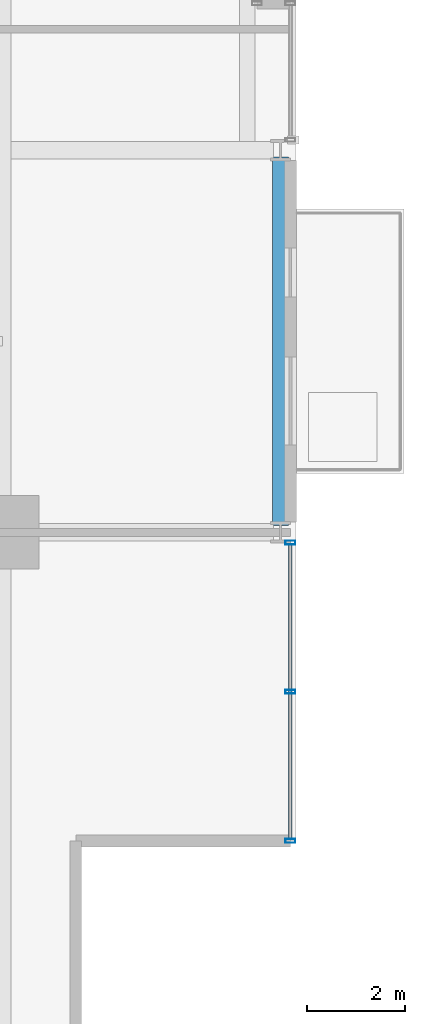
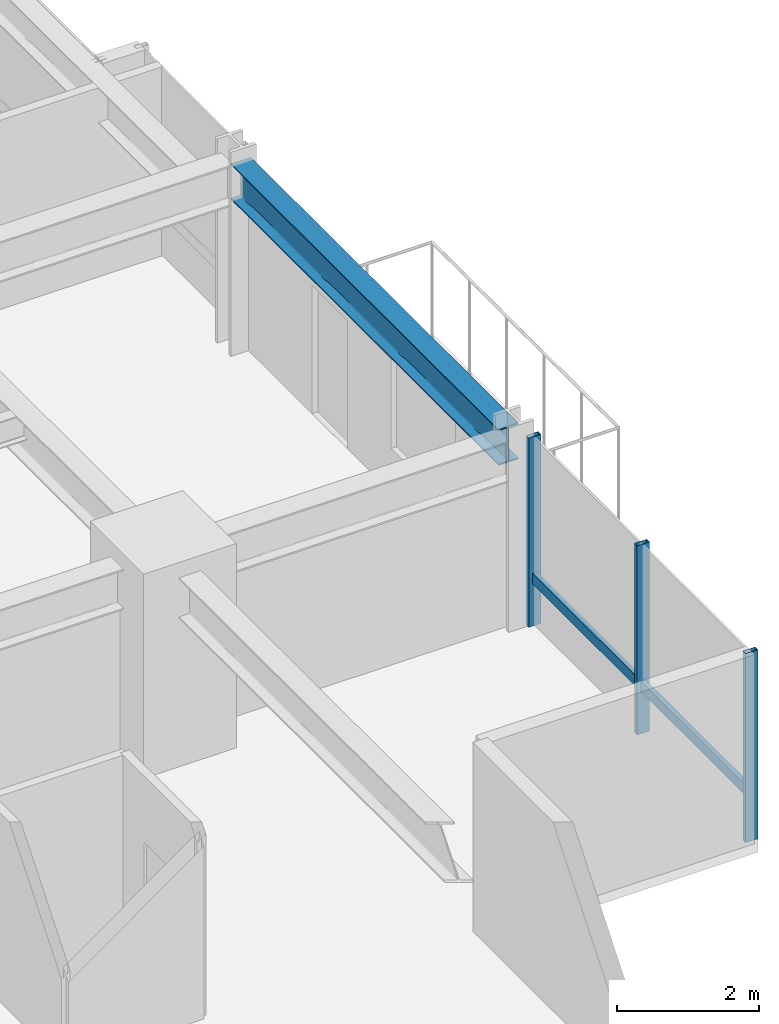
# One storey, part 13 of 33: 4 members, 1 beam, 1 element without a shape of its own.
"""IFC4 building model written with IfcOpenShell, lengths in metres."""

import ifcopenshell
import ifcopenshell.guid

model = None  # the IFC model being written
_history = None  # IfcOwnerHistory: only IFC2X3 demands one
_inside = {}  # id of a spatial element -> (the spatial element, [elements in it])
_under = {}  # id of a project, library or spatial element -> (it, [spatial elements below it])
_declared = {}  # id of a project -> (the project, [libraries it declares])
_typed = {}  # id of a type object -> (the type object, [elements of that type])
_made_of = {}  # id of a material, layer set ... -> (it, [elements and type objects made of it])


def new_model(schema):
    """Start an empty IFC model of exactly this schema.

    Asked for "IFC4X3", IfcOpenShell would pick the latest addendum, in which some entities
    have other attributes; the version numbers below select the first issue.
    IFC2X3 requires an IfcOwnerHistory on every rooted entity: one is made here for all.
    """
    global model, _history
    if schema == "IFC4X3":
        model = ifcopenshell.file(schema_version=(4, 3, 0, 0))
    else:
        model = ifcopenshell.file(schema=schema)
    _inside.clear()
    _under.clear()
    _declared.clear()
    _typed.clear()
    _made_of.clear()
    _history = None
    if model.schema == "IFC2X3":
        org = make("IfcOrganization", Name="unknown")
        user = make(
            "IfcPersonAndOrganization",
            ThePerson=make("IfcPerson", FamilyName="unknown"),
            TheOrganization=org,
        )
        app = make(
            "IfcApplication",
            ApplicationDeveloper=org,
            Version="unknown",
            ApplicationFullName="unknown",
            ApplicationIdentifier="unknown",
        )
        _history = make(
            "IfcOwnerHistory",
            OwningUser=user,
            OwningApplication=app,
            ChangeAction="ADDED",
            CreationDate=0,
        )
    return model


def make(cls, **values):
    """One entity of the class cls with the attributes given. An attribute that is None is left unset."""
    return model.create_entity(
        cls, **{name: value for name, value in values.items() if value is not None}
    )


def rooted(cls, **values):
    """An entity with a GlobalId (a new one), such as an element, a storey or a relation."""
    return make(cls, GlobalId=ifcopenshell.guid.new(), OwnerHistory=_history, **values)


def si_unit(unit_type, name, prefix=None):
    """IfcSIUnit, for example si_unit("LENGTHUNIT", "METRE", prefix="MILLI")."""
    return make("IfcSIUnit", UnitType=unit_type, Prefix=prefix, Name=name)


def assignment(units):
    """IfcUnitAssignment: the units of a project."""
    return None if units is None else make("IfcUnitAssignment", Units=units)


def point(xyz):
    """IfcCartesianPoint."""
    return None if xyz is None else make("IfcCartesianPoint", Coordinates=xyz)


def direction(xyz):
    """IfcDirection."""
    return None if xyz is None else make("IfcDirection", DirectionRatios=xyz)


def frame(location, z_axis=None, x_axis=None):
    """IfcAxis2Placement3D, a coordinate frame: its origin and axes. An axis left out is left unset."""
    return make(
        "IfcAxis2Placement3D",
        Location=point(location),
        Axis=direction(z_axis),
        RefDirection=direction(x_axis),
    )


def frame_2d(location, x_axis=None):
    """IfcAxis2Placement2D, a coordinate frame in the plane: its origin and x axis."""
    return make(
        "IfcAxis2Placement2D", Location=point(location), RefDirection=direction(x_axis)
    )


def origin():
    """The frame at (0, 0, 0) with its axes left unset."""
    return frame((0.0, 0.0, 0.0))


def origin_2d():
    """The frame at (0, 0) in the plane with its x axis left unset."""
    return frame_2d((0.0, 0.0))


def place(relative_to, where):
    """IfcLocalPlacement: puts the frame where relative to a parent placement (None: the world)."""
    return make(
        "IfcLocalPlacement", PlacementRelTo=relative_to, RelativePlacement=where
    )


def context(
    kind, dimensions, precision=None, world=None, true_north=None, identifier=None
):
    """IfcGeometricRepresentationContext, for example the 3D "Model" context."""
    return make(
        "IfcGeometricRepresentationContext",
        ContextIdentifier=identifier,
        ContextType=kind,
        CoordinateSpaceDimension=dimensions,
        Precision=precision,
        WorldCoordinateSystem=world,
        TrueNorth=true_north,
    )


def subcontext(parent, identifier, kind, view, scale=None):
    """IfcGeometricRepresentationSubContext, for example "Body" below "Model"."""
    return make(
        "IfcGeometricRepresentationSubContext",
        ContextIdentifier=identifier,
        ContextType=kind,
        ParentContext=parent,
        TargetScale=scale,
        TargetView=view,
    )


def project(units=None, contexts=None):
    """IfcProject with its units and contexts."""
    return rooted(
        "IfcProject",
        Name="project",
        RepresentationContexts=contexts,
        UnitsInContext=assignment(units),
    )


def spatial(cls, under=None, at=None, **own):
    """A site, building, storey or space (cls), placed at a placement, below another one or the project."""
    s = rooted(cls, ObjectPlacement=at, **own)
    if under is not None:
        _under.setdefault(under.id(), (under, []))[1].append(s)
    return s


def profile(cls, at=None, kind="AREA", **sizes):
    """A parametric profile (cls). Its sizes go by their IFC names, for example OverallWidth=200.0."""
    return make(cls, ProfileType=kind, Position=at, **sizes)


def hollow_rectangle(**sizes):
    """IfcRectangleHollowProfileDef."""
    return profile("IfcRectangleHollowProfileDef", **sizes)


def i_section(**sizes):
    """IfcIShapeProfileDef."""
    return profile("IfcIShapeProfileDef", **sizes)


def extrude(swept, where, along, depth):
    """IfcExtrudedAreaSolid: the profile swept, set in the frame where, extruded along a direction by depth."""
    return make(
        "IfcExtrudedAreaSolid",
        SweptArea=swept,
        Position=where,
        ExtrudedDirection=direction(along),
        Depth=depth,
    )


def shape(context_of_items, identifier, shape_type, items):
    """IfcShapeRepresentation: the items that make up one representation, for example the "Body"."""
    return make(
        "IfcShapeRepresentation",
        ContextOfItems=context_of_items,
        RepresentationIdentifier=identifier,
        RepresentationType=shape_type,
        Items=items,
    )


def material(Name=None, Category=None):
    """IfcMaterial."""
    return make("IfcMaterial", Name=Name, Category=Category)


def layer(
    of_material, thickness, ventilated=None, Name=None, Category=None, Priority=None
):
    """IfcMaterialLayer: one layer of a wall or slab, of a material (None: an air gap)."""
    return make(
        "IfcMaterialLayer",
        Material=of_material,
        LayerThickness=thickness,
        IsVentilated=ventilated,
        Name=Name,
        Category=Category,
        Priority=Priority,
    )


def layer_set(layers, Name=None):
    """IfcMaterialLayerSet."""
    return make("IfcMaterialLayerSet", MaterialLayers=layers, LayerSetName=Name)


def material_profile(
    of_material, cross_section, Name=None, Category=None, Priority=None
):
    """IfcMaterialProfile: a cross section and its material."""
    return make(
        "IfcMaterialProfile",
        Name=Name,
        Material=of_material,
        Profile=cross_section,
        Priority=Priority,
        Category=Category,
    )


def profile_set(profiles, Name=None, composite=None):
    """IfcMaterialProfileSet."""
    return make(
        "IfcMaterialProfileSet",
        Name=Name,
        MaterialProfiles=profiles,
        CompositeProfile=composite,
    )


def made_of(thing, what):
    """Note that an element or type object is made of a material, layer set ...; save() writes the relation."""
    if what is not None:
        _made_of.setdefault(what.id(), (what, []))[1].append(thing)
    return thing


def type_object(cls, material=None, **own):
    """A type object (cls), such as IfcWallType, which elements share."""
    return made_of(rooted(cls, **own), material)


def element(
    cls,
    number,
    at=None,
    inside=None,
    cuts=None,
    type_object=None,
    material=None,
    context=None,
    identifier="Body",
    shape_type=None,
    held_by="IfcProductDefinitionShape",
    body=None,
    shapes=None,
    **own,
):
    """One element of the class cls, such as IfcWall. Its Tag is "e" and its number.

    at: its placement. inside: the storey or other place that contains it. cuts: it is an
    opening in that element (IfcRelVoidsElement). A single representation is given by context,
    identifier, shape_type and body (its items); several are given by shapes. held_by: the class
    of the entity that holds the representations. save() writes the other relations.
    """
    e = rooted(cls, Tag="e%d" % number, ObjectPlacement=at, **own)
    if body is not None:
        shapes = [shape(context, identifier, shape_type, body)]
    if shapes is not None:
        e.Representation = make(held_by, Representations=shapes)
    if inside is not None:
        _inside.setdefault(inside.id(), (inside, []))[1].append(e)
    if cuts is not None:
        rooted(
            "IfcRelVoidsElement", RelatingBuildingElement=cuts, RelatedOpeningElement=e
        )
    if type_object is not None:
        _typed.setdefault(type_object.id(), (type_object, []))[1].append(e)
    return made_of(e, material)


def aggregate(whole, parts):
    """IfcRelAggregates: a whole, such as a stair, and the parts it consists of."""
    return rooted("IfcRelAggregates", RelatingObject=whole, RelatedObjects=parts)


def save(model, path):
    """Write the relations noted so far, then the file.

    IfcRelAggregates (storeys below a building ...), IfcRelContainedInSpatialStructure (elements
    in a storey), IfcRelDefinesByType, IfcRelAssociatesMaterial and IfcRelDeclares: one each for
    every whole, place, type object, material and project.
    """
    for whole, parts in _under.values():
        aggregate(whole, parts)
    for where, things in _inside.values():
        rooted(
            "IfcRelContainedInSpatialStructure",
            RelatedElements=things,
            RelatingStructure=where,
        )
    for kind, things in _typed.values():
        rooted("IfcRelDefinesByType", RelatedObjects=things, RelatingType=kind)
    for what, things in _made_of.values():
        rooted("IfcRelAssociatesMaterial", RelatedObjects=things, RelatingMaterial=what)
    for by, libraries in _declared.values():
        rooted("IfcRelDeclares", RelatingContext=by, RelatedDefinitions=libraries)
    model.write(path)


model = new_model("IFC4")

# Units and contexts
model_context = context("Model", 3, precision=1e-05, world=origin(), true_north=direction((0.0, 1.0)))
body_context = subcontext(model_context, "Body", "Model", "MODEL_VIEW")
ifc_project = project(units=[si_unit("LENGTHUNIT", "METRE"), si_unit("AREAUNIT", "SQUARE_METRE"), si_unit("VOLUMEUNIT", "CUBIC_METRE"), si_unit("PLANEANGLEUNIT", "RADIAN"), si_unit("MASSUNIT", "GRAM", prefix="KILO")], contexts=[model_context])

# Site, building, storey
site_placement = place(None, origin())
site = spatial("IfcSite", under=ifc_project, at=site_placement, CompositionType="ELEMENT")
building_placement = place(site_placement, origin())
building = spatial("IfcBuilding", under=site, at=building_placement, Name="Drelvath Grand Hotel", CompositionType="ELEMENT")
storey_placement = place(building_placement, frame((0.0, 0.0, 119.800048828125)))
storey = spatial("IfcBuildingStorey", under=building, at=storey_placement, Name="L30", CompositionType="ELEMENT", Elevation=119.800048828125)

# Curtain wall, members
ifc_material_1 = material(Name="Champagne Bronze Anodised Aluminium Frame", Category="aluminium")
ifc_layer = layer(ifc_material_1, 0.199951171875)
ifc_layer_set = layer_set([ifc_layer], Name="Champagne Bronze Anodised Aluminium Frame")
curtain_wall_type = type_object("IfcCurtainWallType", Name="Stick Curtain Wall CW-03 Champagne Bronze Mid-Rise", PredefinedType="NOTDEFINED", material=ifc_layer_set)
curtain_wall_placement = place(storey_placement, origin())
curtain_wall = element("IfcCurtainWall", 1, at=curtain_wall_placement, inside=storey, type_object=curtain_wall_type, Name="L30 CW-03 Curtain Wall CW03-L30-ES1", PredefinedType="NOTDEFINED")
ifc_material_profile_1 = material_profile(ifc_material_1, hollow_rectangle(XDim=0.074951171875, YDim=0.179931640625, WallThickness=0.0048828125, at=origin_2d()), Name="HSS180X75X5")
ifc_profile_set_1 = profile_set([ifc_material_profile_1], Name="Champagne Bronze Anodised Aluminium Frame")
member_type_1 = type_object("IfcMemberType", Name="Curtain Wall Horizontal Transom CW-03 HSS180X75X5", PredefinedType="USERDEFINED", material=ifc_profile_set_1)
member_1_placement = place(storey_placement, frame((22.080078125, 10.550537109375, 0.81005859375), z_axis=(0.0, -1.0, 0.0), x_axis=(1.0, 0.0, 0.0)))
member_1 = element("IfcMember", 2, at=member_1_placement, type_object=member_type_1, Name="CW03-L30-ES1 Sill Transom", ObjectType="TRANSOM", PredefinedType="USERDEFINED", context=body_context, shape_type="SweptSolid", body=[
    extrude(hollow_rectangle(XDim=0.074951171875, YDim=0.179931640625, WallThickness=0.0048828125, at=origin_2d()), origin(), (0.0, 0.0, 1.0), 6.010498046875),
])
ifc_material_profile_2 = material_profile(ifc_material_1, hollow_rectangle(XDim=0.080078125, YDim=0.199951171875, WallThickness=0.0048828125, at=origin_2d()), Name="HSS200X80X5")
ifc_profile_set_2 = profile_set([ifc_material_profile_2], Name="Champagne Bronze Anodised Aluminium Frame")
member_type_2 = type_object("IfcMemberType", Name="Curtain Wall Vertical Mullion CW-03 HSS200X80X5", PredefinedType="MULLION", material=ifc_profile_set_2)
member_2_placement = place(storey_placement, frame((22.080078125, 10.590576171875, 0.0), z_axis=(0.0, 0.0, 1.0), x_axis=(0.0, 1.0, 0.0)))
member_2 = element("IfcMember", 3, at=member_2_placement, type_object=member_type_2, Name="CW03-L30-ES1 Mullion 1", PredefinedType="MULLION", context=body_context, shape_type="SweptSolid", body=[
    extrude(hollow_rectangle(XDim=0.080078125, YDim=0.199951171875, WallThickness=0.0048828125, at=origin_2d()), origin(), (0.0, 0.0, 1.0), 3.239990234375),
])
member_3_placement = place(storey_placement, frame((22.080078125, 7.54541015625, 0.0), z_axis=(0.0, 0.0, 1.0), x_axis=(0.0, 1.0, 0.0)))
member_3 = element("IfcMember", 4, at=member_3_placement, type_object=member_type_2, Name="CW03-L30-ES1 Mullion 2", PredefinedType="MULLION", context=body_context, shape_type="SweptSolid", body=[
    extrude(hollow_rectangle(XDim=0.080078125, YDim=0.199951171875, WallThickness=0.0048828125, at=origin_2d()), origin(), (0.0, 0.0, 1.0), 3.239990234375),
])
member_4_placement = place(storey_placement, frame((22.080078125, 4.5, 0.0), z_axis=(0.0, 0.0, 1.0), x_axis=(0.0, 1.0, 0.0)))
member_4 = element("IfcMember", 5, at=member_4_placement, type_object=member_type_2, Name="CW03-L30-ES1 Mullion 3", PredefinedType="MULLION", context=body_context, shape_type="SweptSolid", body=[
    extrude(hollow_rectangle(XDim=0.080078125, YDim=0.199951171875, WallThickness=0.0048828125, at=origin_2d()), origin(), (0.0, 0.0, 1.0), 3.239990234375),
])
aggregate(curtain_wall, [member_2, member_3, member_4, member_1])

# Beam
ifc_material_2 = material(Name="Steel ASTM A992 Gr 50", Category="steel")
ifc_material_profile_3 = material_profile(ifc_material_2, i_section(OverallWidth=0.323974609375, OverallDepth=0.611083984375, WebThickness=0.0126953125, FlangeThickness=0.01904296875, FilletRadius=0.02197265625, at=origin_2d()), Name="W24X104")
ifc_profile_set_3 = profile_set([ifc_material_profile_3], Name="Steel ASTM A992 Gr 50")
beam_type = type_object("IfcBeamType", Name="Perimeter Spandrel Beam W24X104", PredefinedType="SPANDREL", material=ifc_profile_set_3)
beam_placement = place(storey_placement, frame((21.8798828125, 10.93994140625, 2.9345703125), z_axis=(0.0, 1.0, 0.0), x_axis=(-1.0, 0.0, 0.0)))
element("IfcBeam", 6, at=beam_placement, inside=storey, type_object=beam_type, Name="L30 Spandrel East S", PredefinedType="SPANDREL", context=body_context, shape_type="SweptSolid", body=[
    extrude(i_section(OverallWidth=0.323974609375, OverallDepth=0.611083984375, WebThickness=0.0126953125, FlangeThickness=0.01904296875, FilletRadius=0.02197265625, at=origin_2d()), origin(), (0.0, 0.0, 1.0), 7.52001953125),
])

save(model, "model.ifc")
